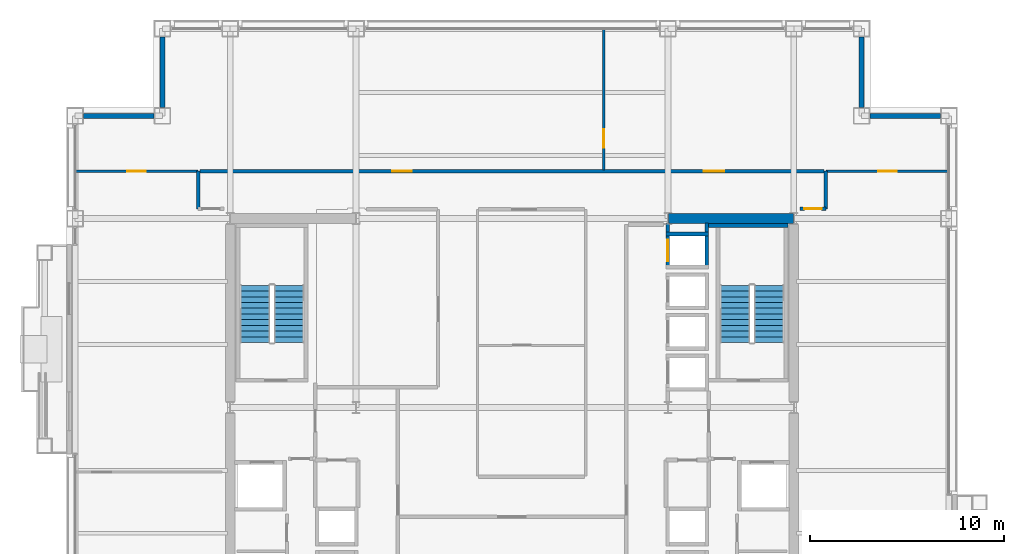
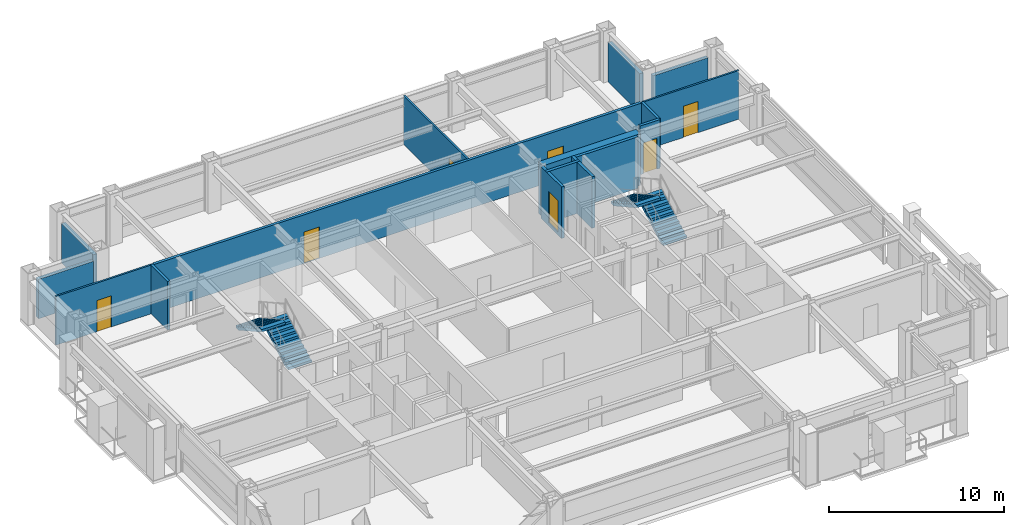
# One storey, part 26 of 29: 16 walls, 7 doors, 4 stair flights, 7 openings, 2 elements without a shape of their own.
"""IFC4 building model written with IfcOpenShell, lengths in metres."""

from ifc_helpers import new_model, si_unit, direction, frame, frame_2d, origin, place, context, subcontext, project, spatial, polyline, rectangle, outline, extrude, material, layer, layer_set, type_object, element, fill, aggregate, save


model = new_model("IFC4")

# Units and contexts
model_context = context("Model", 3, precision=1e-05, world=origin(), true_north=direction((0.0, 1.0)))
body_context = subcontext(model_context, "Body", "Model", "MODEL_VIEW")
ifc_project = project(units=[si_unit("LENGTHUNIT", "METRE"), si_unit("AREAUNIT", "SQUARE_METRE"), si_unit("VOLUMEUNIT", "CUBIC_METRE"), si_unit("PLANEANGLEUNIT", "RADIAN"), si_unit("MASSUNIT", "GRAM", prefix="KILO")], contexts=[model_context])

# Site, building, storey
site_placement = place(None, origin())
site = spatial("IfcSite", under=ifc_project, at=site_placement, CompositionType="ELEMENT")
building_placement = place(site_placement, origin())
building = spatial("IfcBuilding", under=site, at=building_placement, Name="Brelmoor Portico Tower", CompositionType="ELEMENT")
storey_placement = place(building_placement, frame((0.0, 0.0, 95.39990234375)))
storey = spatial("IfcBuildingStorey", under=building, at=storey_placement, Name="L24", CompositionType="ELEMENT", Elevation=95.39990234375)

# Walls
ifc_material_1 = material(Name="Concrete C60", Category="concrete")
ifc_layer_1 = layer(ifc_material_1, 0.5)
ifc_layer_set_1 = layer_set([ifc_layer_1], Name="Concrete C60")
wall_type_1 = type_object("IfcWallType", Name="WL-CORE-500", PredefinedType="SHEAR", material=ifc_layer_set_1)
wall_1_placement = place(storey_placement, frame((8.070068359375, 9.75, -0.199951171875), z_axis=(0.0, 0.0, 1.0), x_axis=(1.0, 0.0, 0.0)))
element("IfcWall", 1, at=wall_1_placement, inside=storey, type_object=wall_type_1, Name="L24 EC North Shear Wall", PredefinedType="SHEAR", context=body_context, shape_type="SweptSolid", body=[
    extrude(rectangle(XDim=6.4599609375, YDim=0.5, at=frame_2d((3.22998046875, 0.0))), origin(), (0.0, 0.0, 1.0), 3.60009765625),
])
ifc_material_2 = material(Name="Precast Concrete C40 Insulated Facade Wall", Category="concrete")
ifc_layer_2 = layer(ifc_material_2, 0.25)
ifc_layer_set_2 = layer_set([ifc_layer_2], Name="Precast Concrete C40 Insulated Facade Wall")
wall_type_2 = type_object("IfcWallType", Name="WL-EXT-250", PredefinedType="STANDARD", material=ifc_layer_set_2)
for number, where, z_axis, x_axis, name in (
    (2, (-22.114990234375, 15.050048828125, 0.0), (0.0, 0.0, 1.0), (1.0, 0.0, 0.0), "L24 Corner Notch Facade Wall NNWH1"),
    (3, (-18.050048828125, 15.485107421875, 0.0), (0.0, 0.0, 1.0), (0.0, 1.0, 0.0), "L24 Corner Notch Facade Wall NNWV1"),
    (4, (18.485107421875, 15.050048828125, 0.0), (0.0, 0.0, 1.0), (1.0, 0.0, 0.0), "L24 Corner Notch Facade Wall NNEH1"),
    (5, (18.050048828125, 15.485107421875, 0.0), (0.0, 0.0, 1.0), (0.0, 1.0, 0.0), "L24 Corner Notch Facade Wall NNEV1"),
):
    element("IfcWall", number, at=place(storey_placement, frame(where, z_axis=z_axis, x_axis=x_axis)), inside=storey, type_object=wall_type_2, Name=name, PredefinedType="STANDARD", context=body_context, shape_type="SweptSolid", body=[
        extrude(rectangle(XDim=3.6298828125, YDim=0.25, at=frame_2d((1.81494140625, 0.0))), origin(), (0.0, 0.0, 1.0), 2.75),
    ])

# Wall, opening, door
ifc_material_3 = material(Name="Lightweight Gypsum Office Partition", Category="gypsum")
ifc_layer_3 = layer(ifc_material_3, 0.1201171875)
ifc_layer_set_3 = layer_set([ifc_layer_3], Name="Lightweight Gypsum Office Partition")
wall_type_3 = type_object("IfcWallType", Name="WL-PART-120", PredefinedType="PARTITIONING", material=ifc_layer_set_3)
wall_2_placement = place(storey_placement, frame((4.73486328125, 12.260009765625, 0.0), z_axis=(0.0, 0.0, 1.0), x_axis=(0.0, 1.0, 0.0)))
wall_2 = element("IfcWall", 6, at=wall_2_placement, inside=storey, type_object=wall_type_3, Name="L24 North Suite Partition 1", PredefinedType="PARTITIONING", context=body_context, shape_type="SweptSolid", body=[
    extrude(rectangle(XDim=7.300048828125, YDim=0.1201171875, at=frame_2d((3.64990234375, 0.0))), origin(), (0.0, 0.0, 1.0), 3.400146484375),
])
opening_1_placement = place(wall_2_placement, frame((1.14990234375, 0.0, 0.0)))
opening_1 = element("IfcOpeningElement", 7, at=opening_1_placement, cuts=wall_2, Name="Opening D-IN2", PredefinedType="OPENING", context=body_context, shape_type="SweptSolid", body=[
    extrude(rectangle(XDim=0.9599609375, YDim=2.179931640625, at=frame_2d((0.47998046875, 1.08984375))), frame((0.0, 0.070068359375, 0.0), z_axis=(0.0, -1.0, 0.0), x_axis=(1.0, 0.0, 0.0)), (0.0, 0.0, 1.0), 0.14013671875),
])
ifc_material_4 = material(Name="Lacquered Timber Suite Door", Category="wood")
door_type_1 = type_object("IfcDoorType", Name="DR-INT-950", OperationType="NOTDEFINED", PredefinedType="DOOR", material=ifc_material_4)
door_1_placement = place(opening_1_placement, origin())
door_1 = element("IfcDoor", 8, at=door_1_placement, inside=storey, type_object=door_type_1, Name="D-1069 L24 North Suite Connecting Door 1", OperationType="SINGLE_SWING_LEFT", OverallHeight=2.179931640625, OverallWidth=0.9599609375, PredefinedType="DOOR", context=body_context, shape_type="SweptSolid", body=[
    extrude(rectangle(XDim=0.9599609375, YDim=2.179931640625, at=frame_2d((0.47998046875, 1.08984375))), frame((0.0, 0.02490234375, 0.0), z_axis=(0.0, -1.0, 0.0), x_axis=(1.0, 0.0, 0.0)), (0.0, 0.0, 1.0), 0.050048828125),
])
fill(opening_1, door_1)

wall_3_placement = place(storey_placement, frame((-22.56005859375, 12.199951171875, 0.0), z_axis=(0.0, 0.0, 1.0), x_axis=(1.0, 0.0, 0.0)))
wall_3 = element("IfcWall", 9, at=wall_3_placement, inside=storey, type_object=wall_type_3, Name="L24 North Wing Closure WL", PredefinedType="PARTITIONING", context=body_context, shape_type="SweptSolid", body=[
    extrude(rectangle(XDim=6.360107421875, YDim=0.1201171875, at=frame_2d((3.18017578125, 0.0))), origin(), (0.0, 0.0, 1.0), 3.400146484375),
])
opening_2_placement = place(wall_3_placement, frame((2.699951171875, 0.0, 0.0)))
opening_2 = element("IfcOpeningElement", 10, at=opening_2_placement, cuts=wall_3, Name="Opening D-IN2", PredefinedType="OPENING", context=body_context, shape_type="SweptSolid", body=[
    extrude(rectangle(XDim=0.9599609375, YDim=2.179931640625, at=frame_2d((0.47998046875, 1.08984375))), frame((0.0, 0.070068359375, 0.0), z_axis=(0.0, -1.0, 0.0), x_axis=(1.0, 0.0, 0.0)), (0.0, 0.0, 1.0), 0.14013671875),
])
door_2_placement = place(opening_2_placement, origin())
door_2 = element("IfcDoor", 11, at=door_2_placement, inside=storey, type_object=door_type_1, Name="D-1071 L24 WL Wing North Suite Door", OperationType="SINGLE_SWING_RIGHT", OverallHeight=2.179931640625, OverallWidth=0.9599609375, PredefinedType="DOOR", context=body_context, shape_type="SweptSolid", body=[
    extrude(rectangle(XDim=0.9599609375, YDim=2.179931640625, at=frame_2d((0.47998046875, 1.08984375))), frame((0.0, 0.02490234375, 0.0), z_axis=(0.0, -1.0, 0.0), x_axis=(1.0, 0.0, 0.0)), (0.0, 0.0, 1.0), 0.050048828125),
])
fill(opening_2, door_2)

wall_4_placement = place(storey_placement, frame((16.199951171875, 12.199951171875, 0.0), z_axis=(0.0, 0.0, 1.0), x_axis=(1.0, 0.0, 0.0)))
wall_4 = element("IfcWall", 12, at=wall_4_placement, inside=storey, type_object=wall_type_3, Name="L24 North Wing Closure ER", PredefinedType="PARTITIONING", context=body_context, shape_type="SweptSolid", body=[
    extrude(rectangle(XDim=6.360107421875, YDim=0.1201171875, at=frame_2d((3.18017578125, 0.0))), origin(), (0.0, 0.0, 1.0), 3.400146484375),
])
opening_3_placement = place(wall_4_placement, frame((2.699951171875, 0.0, 0.0)))
opening_3 = element("IfcOpeningElement", 13, at=opening_3_placement, cuts=wall_4, Name="Opening D-IN2", PredefinedType="OPENING", context=body_context, shape_type="SweptSolid", body=[
    extrude(rectangle(XDim=0.9599609375, YDim=2.179931640625, at=frame_2d((0.47998046875, 1.08984375))), frame((0.0, 0.070068359375, 0.0), z_axis=(0.0, -1.0, 0.0), x_axis=(1.0, 0.0, 0.0)), (0.0, 0.0, 1.0), 0.14013671875),
])
door_3_placement = place(opening_3_placement, origin())
door_3 = element("IfcDoor", 14, at=door_3_placement, inside=storey, type_object=door_type_1, Name="D-1070 L24 ER Wing North Suite Door", OperationType="SINGLE_SWING_LEFT", OverallHeight=2.179931640625, OverallWidth=0.9599609375, PredefinedType="DOOR", context=body_context, shape_type="SweptSolid", body=[
    extrude(rectangle(XDim=0.9599609375, YDim=2.179931640625, at=frame_2d((0.47998046875, 1.08984375))), frame((0.0, 0.02490234375, 0.0), z_axis=(0.0, -1.0, 0.0), x_axis=(1.0, 0.0, 0.0)), (0.0, 0.0, 1.0), 0.050048828125),
])
fill(opening_3, door_3)

# Wall, openings, doors
ifc_material_5 = material(Name="Acoustic Corridor Fire Partition", Category="gypsum")
ifc_layer_4 = layer(ifc_material_5, 0.179931640625)
ifc_layer_set_4 = layer_set([ifc_layer_4], Name="Acoustic Corridor Fire Partition")
wall_type_4 = type_object("IfcWallType", Name="WL-PART-180", PredefinedType="PARTITIONING", material=ifc_layer_set_4)
wall_5_placement = place(storey_placement, frame((-16.10009765625, 12.199951171875, 0.0), z_axis=(0.0, 0.0, 1.0), x_axis=(1.0, 0.0, 0.0)))
wall_5 = element("IfcWall", 15, at=wall_5_placement, inside=storey, type_object=wall_type_4, Name="L24 North Corridor Partition", PredefinedType="PARTITIONING", context=body_context, shape_type="SweptSolid", body=[
    extrude(rectangle(XDim=32.2001953125, YDim=0.179931640625, at=frame_2d((16.10009765625, 0.0))), origin(), (0.0, 0.0, 1.0), 3.400146484375),
])
opening_4_placement = place(wall_5_placement, frame((9.907470703125, 0.0, 0.0)))
opening_4 = element("IfcOpeningElement", 16, at=opening_4_placement, cuts=wall_5, Name="Opening D-OF1", PredefinedType="OPENING", context=body_context, shape_type="SweptSolid", body=[
    extrude(rectangle(XDim=1.02001953125, YDim=2.199951171875, at=frame_2d((0.510009765625, 1.10009765625))), frame((0.0, 0.099853515625, 0.0), z_axis=(0.0, -1.0, 0.0), x_axis=(1.0, 0.0, 0.0)), (0.0, 0.0, 1.0), 0.199951171875),
])
opening_5_placement = place(wall_5_placement, frame((25.9873046875, 0.0, 0.0)))
opening_5 = element("IfcOpeningElement", 17, at=opening_5_placement, cuts=wall_5, Name="Opening D-OF2", PredefinedType="OPENING", context=body_context, shape_type="SweptSolid", body=[
    extrude(rectangle(XDim=1.06005859375, YDim=2.199951171875, at=frame_2d((0.530029296875, 1.10009765625))), frame((0.0, 0.099853515625, 0.0), z_axis=(0.0, -1.0, 0.0), x_axis=(1.0, 0.0, 0.0)), (0.0, 0.0, 1.0), 0.199951171875),
])
ifc_material_6 = material(Name="Hardwood Acoustic Veneer Door", Category="wood")
door_type_2 = type_object("IfcDoorType", Name="DR-OFFICE-1000", OperationType="NOTDEFINED", PredefinedType="DOOR", material=ifc_material_6)
door_4_placement = place(opening_4_placement, origin())
door_4 = element("IfcDoor", 18, at=door_4_placement, inside=storey, type_object=door_type_2, Name="D-1067 L24 North Open-Plan Office 1 Door", OperationType="SINGLE_SWING_RIGHT", OverallHeight=2.199951171875, OverallWidth=1.02001953125, PredefinedType="DOOR", context=body_context, shape_type="SweptSolid", body=[
    extrude(rectangle(XDim=1.02001953125, YDim=2.199951171875, at=frame_2d((0.510009765625, 1.10009765625))), frame((0.0, 0.02490234375, 0.0), z_axis=(0.0, -1.0, 0.0), x_axis=(1.0, 0.0, 0.0)), (0.0, 0.0, 1.0), 0.050048828125),
])
fill(opening_4, door_4)
door_type_3 = type_object("IfcDoorType", Name="DR-OFFICE-1050", OperationType="NOTDEFINED", PredefinedType="DOOR", material=ifc_material_6)
door_5_placement = place(opening_5_placement, origin())
door_5 = element("IfcDoor", 19, at=door_5_placement, inside=storey, type_object=door_type_3, Name="D-1068 L24 North First-Aid Medical Room 2 Door", OperationType="SINGLE_SWING_LEFT", OverallHeight=2.199951171875, OverallWidth=1.06005859375, PredefinedType="DOOR", context=body_context, shape_type="SweptSolid", body=[
    extrude(rectangle(XDim=1.06005859375, YDim=2.199951171875, at=frame_2d((0.530029296875, 1.10009765625))), frame((0.0, 0.02490234375, 0.0), z_axis=(0.0, -1.0, 0.0), x_axis=(1.0, 0.0, 0.0)), (0.0, 0.0, 1.0), 0.050048828125),
])
fill(opening_5, door_5)

# Wall
wall_6_placement = place(storey_placement, frame((-16.199951171875, 10.25, 0.0), z_axis=(0.0, 0.0, 1.0), x_axis=(0.0, 1.0, 0.0)))
element("IfcWall", 20, at=wall_6_placement, inside=storey, type_object=wall_type_4, Name="L24 W Corridor End Closure", PredefinedType="PARTITIONING", context=body_context, shape_type="SweptSolid", body=[
    extrude(rectangle(XDim=1.949951171875, YDim=0.179931640625, at=frame_2d((0.97509765625, 0.0))), origin(), (0.0, 0.0, 1.0), 3.400146484375),
])

# Wall, opening, door
wall_7_placement = place(storey_placement, frame((14.8798828125, 10.25, 0.0), z_axis=(0.0, 0.0, 1.0), x_axis=(1.0, 0.0, 0.0)))
wall_7 = element("IfcWall", 21, at=wall_7_placement, inside=storey, type_object=wall_type_4, Name="L24 E Wing North Entry Wall", PredefinedType="PARTITIONING", context=body_context, shape_type="SweptSolid", body=[
    extrude(rectangle(XDim=1.320068359375, YDim=0.179931640625, at=frame_2d((0.66015625, 0.0))), origin(), (0.0, 0.0, 1.0), 3.400146484375),
])
opening_6_placement = place(wall_7_placement, frame((0.2099609375, 0.0, 0.0)))
opening_6 = element("IfcOpeningElement", 22, at=opening_6_placement, cuts=wall_7, Name="Opening D-IN1", PredefinedType="OPENING", context=body_context, shape_type="SweptSolid", body=[
    extrude(rectangle(XDim=0.89990234375, YDim=2.14990234375, at=frame_2d((0.449951171875, 1.074951171875))), frame((0.0, 0.099853515625, 0.0), z_axis=(0.0, -1.0, 0.0), x_axis=(1.0, 0.0, 0.0)), (0.0, 0.0, 1.0), 0.199951171875),
])
door_type_4 = type_object("IfcDoorType", Name="DR-INT-900", OperationType="NOTDEFINED", PredefinedType="DOOR", material=ifc_material_4)
door_6_placement = place(opening_6_placement, origin())
door_6 = element("IfcDoor", 23, at=door_6_placement, inside=storey, type_object=door_type_4, Name="D-1083 L24 E Wing Entry Door", OperationType="SINGLE_SWING_LEFT", OverallHeight=2.14990234375, OverallWidth=0.89990234375, PredefinedType="DOOR", context=body_context, shape_type="SweptSolid", body=[
    extrude(rectangle(XDim=0.89990234375, YDim=2.14990234375, at=frame_2d((0.449951171875, 1.074951171875))), frame((0.0, 0.02490234375, 0.0), z_axis=(0.0, -1.0, 0.0), x_axis=(1.0, 0.0, 0.0)), (0.0, 0.0, 1.0), 0.050048828125),
])
fill(opening_6, door_6)

# Wall
wall_8_placement = place(storey_placement, frame((16.199951171875, 10.25, 0.0), z_axis=(0.0, 0.0, 1.0), x_axis=(0.0, 1.0, 0.0)))
element("IfcWall", 24, at=wall_8_placement, inside=storey, type_object=wall_type_4, Name="L24 E Corridor End Closure", PredefinedType="PARTITIONING", context=body_context, shape_type="SweptSolid", body=[
    extrude(rectangle(XDim=1.949951171875, YDim=0.179931640625, at=frame_2d((0.97509765625, 0.0))), origin(), (0.0, 0.0, 1.0), 3.400146484375),
])

# Wall, opening, door
ifc_material_7 = material(Name="Precast Concrete C40", Category="concrete")
ifc_layer_5 = layer(ifc_material_7, 0.18994140625)
ifc_layer_set_5 = layer_set([ifc_layer_5], Name="Precast Concrete C40")
wall_type_5 = type_object("IfcWallType", Name="WL-SHAFT-180", PredefinedType="SOLIDWALL", material=ifc_layer_set_5)
wall_9_placement = place(storey_placement, frame((8.044921875, 7.14990234375, -0.199951171875), z_axis=(0.0, 0.0, 1.0), x_axis=(0.0, 1.0, 0.0)))
wall_9 = element("IfcWall", 25, at=wall_9_placement, inside=storey, type_object=wall_type_5, Name="L24 Lift PM4 Hoistway Front Wall", PredefinedType="SOLIDWALL", context=body_context, shape_type="SweptSolid", body=[
    extrude(rectangle(XDim=2.3701171875, YDim=0.18994140625, at=frame_2d((1.18505859375, 0.0))), origin(), (0.0, 0.0, 1.0), 3.60009765625),
])
opening_7_placement = place(wall_9_placement, frame((0.39990234375, 0.0, 0.199951171875)))
opening_7 = element("IfcOpeningElement", 26, at=opening_7_placement, cuts=wall_9, Name="Opening LD-01", PredefinedType="OPENING", context=body_context, shape_type="SweptSolid", body=[
    extrude(rectangle(XDim=1.10009765625, YDim=2.199951171875, at=frame_2d((0.550048828125, 1.10009765625))), frame((0.0, 0.10498046875, 0.0), z_axis=(0.0, -1.0, 0.0), x_axis=(1.0, 0.0, 0.0)), (0.0, 0.0, 1.0), 0.2099609375),
])
ifc_material_8 = material(Name="Brushed Stainless Steel Sliding Lift Door", Category="steel")
door_type_5 = type_object("IfcDoorType", Name="DR-LIFT-1100", OperationType="NOTDEFINED", PredefinedType="DOOR", material=ifc_material_8)
door_7_placement = place(opening_7_placement, origin())
door_7 = element("IfcDoor", 27, at=door_7_placement, inside=storey, type_object=door_type_5, Name="D-1091 L24 Lift PM4 Sliding Landing Door", OperationType="SLIDING_TO_LEFT", OverallHeight=2.199951171875, OverallWidth=1.10009765625, PredefinedType="DOOR", context=body_context, shape_type="SweptSolid", body=[
    extrude(rectangle(XDim=1.10009765625, YDim=2.199951171875, at=frame_2d((0.550048828125, 1.10009765625))), frame((0.0, 0.02490234375, 0.0), z_axis=(0.0, -1.0, 0.0), x_axis=(1.0, 0.0, 0.0)), (0.0, 0.0, 1.0), 0.050048828125),
])
fill(opening_7, door_7)

# Walls
wall_10_placement = place(storey_placement, frame((10.054931640625, 7.14990234375, -0.199951171875), z_axis=(0.0, 0.0, 1.0), x_axis=(0.0, 1.0, 0.0)))
element("IfcWall", 28, at=wall_10_placement, inside=storey, type_object=wall_type_5, Name="L24 Lift PM4 Hoistway Back Wall", PredefinedType="SOLIDWALL", context=body_context, shape_type="SweptSolid", body=[
    extrude(rectangle(XDim=2.3701171875, YDim=0.18994140625, at=frame_2d((1.18505859375, 0.0))), origin(), (0.0, 0.0, 1.0), 3.60009765625),
])
wall_11_placement = place(storey_placement, frame((7.949951171875, 8.955078125, -0.199951171875), z_axis=(0.0, 0.0, 1.0), x_axis=(1.0, 0.0, 0.0)))
element("IfcWall", 29, at=wall_11_placement, inside=storey, type_object=wall_type_5, Name="L24 Lift PM4 Hoistway North Wall", PredefinedType="SOLIDWALL", context=body_context, shape_type="SweptSolid", body=[
    extrude(rectangle(XDim=2.199951171875, YDim=0.18994140625, at=frame_2d((1.10009765625, 0.0))), origin(), (0.0, 0.0, 1.0), 3.60009765625),
])
ifc_material_9 = material(Name="Concrete C40", Category="concrete")
ifc_layer_6 = layer(ifc_material_9, 0.199951171875)
ifc_layer_set_6 = layer_set([ifc_layer_6], Name="Concrete C40")
wall_type_6 = type_object("IfcWallType", Name="WL-SHAFT-RC200", PredefinedType="SOLIDWALL", material=ifc_layer_set_6)
wall_12_placement = place(storey_placement, frame((10.14990234375, 9.39990234375, -0.199951171875), z_axis=(0.0, 0.0, 1.0), x_axis=(1.0, 0.0, 0.0)))
element("IfcWall", 30, at=wall_12_placement, inside=storey, type_object=wall_type_6, Name="L24 ST-E Structural Stair Wall N", PredefinedType="SOLIDWALL", context=body_context, shape_type="SweptSolid", body=[
    extrude(rectangle(XDim=4.10009765625, YDim=0.199951171875, at=frame_2d((2.050048828125, 0.0))), origin(), (0.0, 0.0, 1.0), 3.60009765625),
])

# Stair, stair flights
stair_type_1 = type_object("IfcStairType", Name="ST-CORE-W", PredefinedType="HALF_TURN_STAIR", material=ifc_material_9)
stair_1_placement = place(storey_placement, origin())
stair_1 = element("IfcStair", 31, at=stair_1_placement, inside=storey, type_object=stair_type_1, Name="L24 Protected Core Exit Stair ST-W", PredefinedType="HALF_TURN_STAIR")
stair_flight_type = type_object("IfcStairFlightType", Name="SF-CORE-1850", PredefinedType="STRAIGHT", material=ifc_material_9)
stair_flight_1_placement = place(storey_placement, frame((-11.510009765625, 3.35009765625, 0.0), z_axis=(0.0, 0.0, 1.0), x_axis=(0.0, 1.0, 0.0)))
stair_flight_1 = element("IfcStairFlight", 32, at=stair_flight_1_placement, type_object=stair_flight_type, Name="ST-W flight 1", NumberOfRisers=11, NumberOfTreads=10, PredefinedType="STRAIGHT", RiserHeight=0.163636364, TreadLength=0.295, context=body_context, shape_type="SweptSolid", body=[
    extrude(outline(polyline([(0.0, 0.0), (0.0, 0.16357421875), (0.294921875, 0.16357421875), (0.294921875, 0.327392578125), (0.590087890625, 0.327392578125), (0.590087890625, 0.490966796875), (0.885009765625, 0.490966796875), (0.885009765625, 0.654541015625), (1.179931640625, 0.654541015625), (1.179931640625, 0.818115234375), (1.47509765625, 0.818115234375), (1.47509765625, 0.98193359375), (1.77001953125, 0.98193359375), (1.77001953125, 1.1455078125), (2.06494140625, 1.1455078125), (2.06494140625, 1.30908203125), (2.360107421875, 1.30908203125), (2.360107421875, 1.47265625), (2.655029296875, 1.47265625), (2.655029296875, 1.636474609375), (2.949951171875, 1.636474609375), (2.949951171875, 1.800048828125), (2.949951171875, 1.46484375), (0.30908203125, 0.0), (0.0, 0.0)])), frame((0.0, 0.780029296875, 0.0), z_axis=(0.0, -1.0, 0.0), x_axis=(1.0, 0.0, 0.0)), (0.0, 0.0, 1.0), 1.56005859375),
])
stair_flight_2_placement = place(storey_placement, frame((-13.27001953125, 6.300048828125, 1.800048828125), z_axis=(0.0, 0.0, 1.0), x_axis=(0.0, -1.0, 0.0)))
stair_flight_2 = element("IfcStairFlight", 33, at=stair_flight_2_placement, type_object=stair_flight_type, Name="ST-W flight 2", NumberOfRisers=11, NumberOfTreads=10, PredefinedType="STRAIGHT", RiserHeight=0.163636364, TreadLength=0.295, context=body_context, shape_type="SweptSolid", body=[
    extrude(outline(polyline([(0.0, 0.0), (0.0, 0.16357421875), (0.294921875, 0.16357421875), (0.294921875, 0.327392578125), (0.590087890625, 0.327392578125), (0.590087890625, 0.490966796875), (0.885009765625, 0.490966796875), (0.885009765625, 0.654541015625), (1.179931640625, 0.654541015625), (1.179931640625, 0.818115234375), (1.47509765625, 0.818115234375), (1.47509765625, 0.98193359375), (1.77001953125, 0.98193359375), (1.77001953125, 1.1455078125), (2.06494140625, 1.1455078125), (2.06494140625, 1.30908203125), (2.360107421875, 1.30908203125), (2.360107421875, 1.47265625), (2.655029296875, 1.47265625), (2.655029296875, 1.636474609375), (2.949951171875, 1.636474609375), (2.949951171875, 1.800048828125), (2.949951171875, 1.46484375), (0.30908203125, 0.0), (0.0, 0.0)])), frame((0.0, 0.780029296875, 0.0), z_axis=(0.0, -1.0, 0.0), x_axis=(1.0, 0.0, 0.0)), (0.0, 0.0, 1.0), 1.56005859375),
])
aggregate(stair_1, [stair_flight_1, stair_flight_2])

stair_type_2 = type_object("IfcStairType", Name="ST-CORE-E", PredefinedType="HALF_TURN_STAIR", material=ifc_material_9)
stair_2_placement = place(storey_placement, origin())
stair_2 = element("IfcStair", 34, at=stair_2_placement, inside=storey, type_object=stair_type_2, Name="L24 Protected Core Exit Stair ST-E", PredefinedType="HALF_TURN_STAIR")
stair_flight_3_placement = place(storey_placement, frame((13.27001953125, 3.35009765625, 0.0), z_axis=(0.0, 0.0, 1.0), x_axis=(0.0, 1.0, 0.0)))
stair_flight_3 = element("IfcStairFlight", 35, at=stair_flight_3_placement, type_object=stair_flight_type, Name="ST-E flight 1", NumberOfRisers=11, NumberOfTreads=10, PredefinedType="STRAIGHT", RiserHeight=0.163636364, TreadLength=0.295, context=body_context, shape_type="SweptSolid", body=[
    extrude(outline(polyline([(0.0, 0.0), (0.0, 0.16357421875), (0.294921875, 0.16357421875), (0.294921875, 0.327392578125), (0.590087890625, 0.327392578125), (0.590087890625, 0.490966796875), (0.885009765625, 0.490966796875), (0.885009765625, 0.654541015625), (1.179931640625, 0.654541015625), (1.179931640625, 0.818115234375), (1.47509765625, 0.818115234375), (1.47509765625, 0.98193359375), (1.77001953125, 0.98193359375), (1.77001953125, 1.1455078125), (2.06494140625, 1.1455078125), (2.06494140625, 1.30908203125), (2.360107421875, 1.30908203125), (2.360107421875, 1.47265625), (2.655029296875, 1.47265625), (2.655029296875, 1.636474609375), (2.949951171875, 1.636474609375), (2.949951171875, 1.800048828125), (2.949951171875, 1.46484375), (0.30908203125, 0.0), (0.0, 0.0)])), frame((0.0, 0.780029296875, 0.0), z_axis=(0.0, -1.0, 0.0), x_axis=(1.0, 0.0, 0.0)), (0.0, 0.0, 1.0), 1.56005859375),
])
stair_flight_4_placement = place(storey_placement, frame((11.510009765625, 6.300048828125, 1.800048828125), z_axis=(0.0, 0.0, 1.0), x_axis=(0.0, -1.0, 0.0)))
stair_flight_4 = element("IfcStairFlight", 36, at=stair_flight_4_placement, type_object=stair_flight_type, Name="ST-E flight 2", NumberOfRisers=11, NumberOfTreads=10, PredefinedType="STRAIGHT", RiserHeight=0.163636364, TreadLength=0.295, context=body_context, shape_type="SweptSolid", body=[
    extrude(outline(polyline([(0.0, 0.0), (0.0, 0.16357421875), (0.294921875, 0.16357421875), (0.294921875, 0.327392578125), (0.590087890625, 0.327392578125), (0.590087890625, 0.490966796875), (0.885009765625, 0.490966796875), (0.885009765625, 0.654541015625), (1.179931640625, 0.654541015625), (1.179931640625, 0.818115234375), (1.47509765625, 0.818115234375), (1.47509765625, 0.98193359375), (1.77001953125, 0.98193359375), (1.77001953125, 1.1455078125), (2.06494140625, 1.1455078125), (2.06494140625, 1.30908203125), (2.360107421875, 1.30908203125), (2.360107421875, 1.47265625), (2.655029296875, 1.47265625), (2.655029296875, 1.636474609375), (2.949951171875, 1.636474609375), (2.949951171875, 1.800048828125), (2.949951171875, 1.46484375), (0.30908203125, 0.0), (0.0, 0.0)])), frame((0.0, 0.780029296875, 0.0), z_axis=(0.0, -1.0, 0.0), x_axis=(1.0, 0.0, 0.0)), (0.0, 0.0, 1.0), 1.56005859375),
])
aggregate(stair_2, [stair_flight_3, stair_flight_4])

save(model, "model.ifc")
